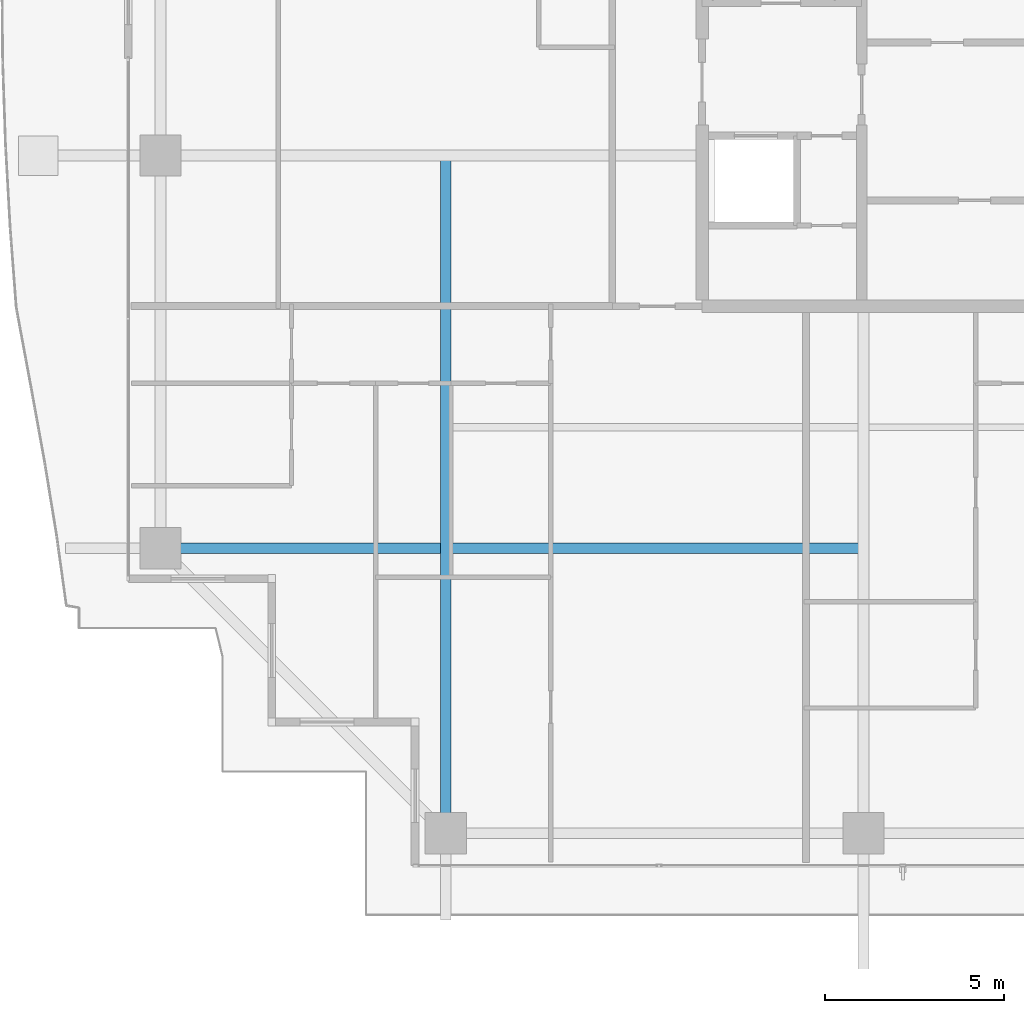
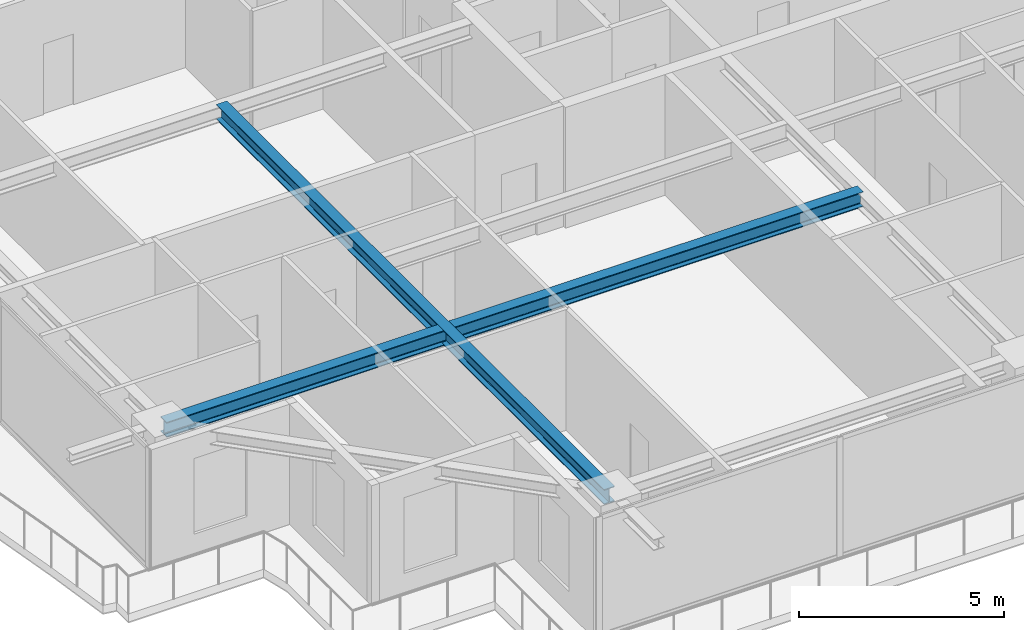
# One storey, part 4 of 40: 2 beams.
"""IFC4 building model written with IfcOpenShell, lengths in metres."""

from ifc_helpers import new_model, si_unit, direction, frame, origin, origin_2d, place, context, subcontext, project, spatial, i_section, extrude, source, transform, mapped, material, material_profile, profile_set, type_object, element, save


model = new_model("IFC4")

# Units and contexts
model_context = context("Model", 3, precision=1e-05, world=origin(), true_north=direction((0.0, 1.0)))
body_context = subcontext(model_context, "Body", "Model", "MODEL_VIEW")
ifc_project = project(units=[si_unit("LENGTHUNIT", "METRE"), si_unit("AREAUNIT", "SQUARE_METRE"), si_unit("VOLUMEUNIT", "CUBIC_METRE"), si_unit("PLANEANGLEUNIT", "RADIAN"), si_unit("MASSUNIT", "GRAM", prefix="KILO")], contexts=[model_context])

# Site, building, storey
site_placement = place(None, origin())
site = spatial("IfcSite", under=ifc_project, at=site_placement, CompositionType="ELEMENT")
building_placement = place(site_placement, origin())
building = spatial("IfcBuilding", under=site, at=building_placement, Name="Serunith Strait Residences", CompositionType="ELEMENT")
storey_placement = place(building_placement, frame((0.0, 0.0, 252.800048828125)))
storey = spatial("IfcBuildingStorey", under=building, at=storey_placement, Name="L63", CompositionType="ELEMENT", Elevation=252.800048828125)

# Beams
ifc_material = material(Name="Steel S355J2", Category="steel")
ifc_material_profile = material_profile(ifc_material, i_section(OverallWidth=0.300048828125, OverallDepth=0.449951171875, WebThickness=0.013916015625, FlangeThickness=0.02587890625, FilletRadius=0.027099609375, at=origin_2d()), Name="HEB 450")
ifc_profile_set = profile_set([ifc_material_profile], Name="Steel S355J2")
beam_type = type_object("IfcBeamType", Name="BM-HEB450", PredefinedType="BEAM", material=ifc_profile_set)
shared_shape_1 = source(origin(), body_context, "Body", "SweptSolid", [
    extrude(i_section(OverallWidth=0.300048828125, OverallDepth=0.449951171875, WebThickness=0.013916015625, FlangeThickness=0.02587890625, FilletRadius=0.027099609375, at=origin_2d()), origin(), (0.0, 0.0, 1.0), 18.89990234375),
])
beam_1_placement = place(storey_placement, frame((16.25, 21.0, 3.362060546875), z_axis=(0.0, -1.0, 0.0), x_axis=(1.0, 0.0, 0.0)))
element("IfcBeam", 1, at=beam_1_placement, inside=storey, type_object=beam_type, Name="L63 Orthogonal Corner Girder TC-S1", PredefinedType="BEAM", context=body_context, shape_type="MappedRepresentation", body=[
    mapped(shared_shape_1, transform((0.0, 0.0, 0.0), scale=1.0)),
])
shared_shape_2 = source(origin(), body_context, "Body", "SweptSolid", [
    extrude(i_section(OverallWidth=0.300048828125, OverallDepth=0.449951171875, WebThickness=0.013916015625, FlangeThickness=0.02587890625, FilletRadius=0.027099609375, at=origin_2d()), origin(), (0.0, 0.0, 1.0), 19.599853515625),
])
beam_2_placement = place(storey_placement, frame((27.89990234375, 10.050048828125, 3.362060546875), z_axis=(-1.0, 0.0, 0.0), x_axis=(0.0, -1.0, 0.0)))
element("IfcBeam", 2, at=beam_2_placement, inside=storey, type_object=beam_type, Name="L63 Orthogonal Corner Girder TC-W1", PredefinedType="BEAM", context=body_context, shape_type="MappedRepresentation", body=[
    mapped(shared_shape_2, transform((0.0, 0.0, 0.0), scale=1.0)),
])

save(model, "model.ifc")
